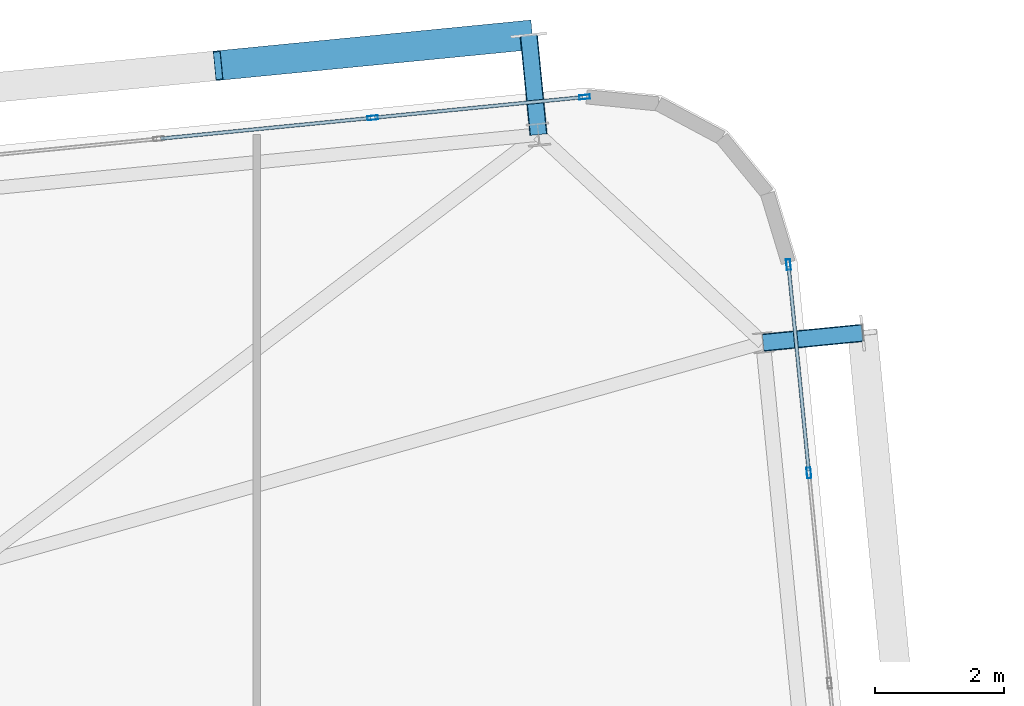
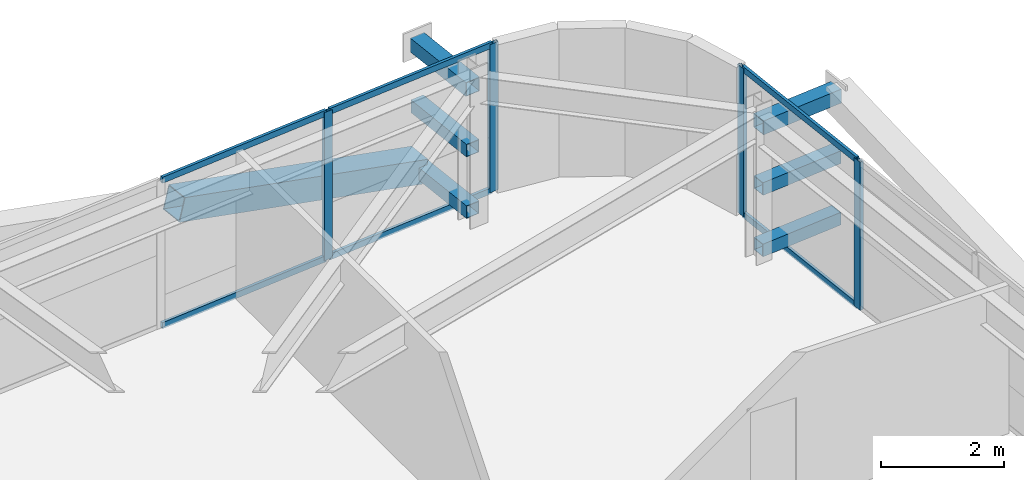
# One storey, part 35 of 54: 17 members, 2 elements without a shape of their own.
"""IFC4 building model written with IfcOpenShell, lengths in metres."""

import ifcopenshell
import ifcopenshell.guid

model = None  # the IFC model being written
_history = None  # IfcOwnerHistory: only IFC2X3 demands one
_inside = {}  # id of a spatial element -> (the spatial element, [elements in it])
_under = {}  # id of a project, library or spatial element -> (it, [spatial elements below it])
_declared = {}  # id of a project -> (the project, [libraries it declares])
_typed = {}  # id of a type object -> (the type object, [elements of that type])
_made_of = {}  # id of a material, layer set ... -> (it, [elements and type objects made of it])


def new_model(schema):
    """Start an empty IFC model of exactly this schema.

    Asked for "IFC4X3", IfcOpenShell would pick the latest addendum, in which some entities
    have other attributes; the version numbers below select the first issue.
    IFC2X3 requires an IfcOwnerHistory on every rooted entity: one is made here for all.
    """
    global model, _history
    if schema == "IFC4X3":
        model = ifcopenshell.file(schema_version=(4, 3, 0, 0))
    else:
        model = ifcopenshell.file(schema=schema)
    _inside.clear()
    _under.clear()
    _declared.clear()
    _typed.clear()
    _made_of.clear()
    _history = None
    if model.schema == "IFC2X3":
        org = make("IfcOrganization", Name="unknown")
        user = make(
            "IfcPersonAndOrganization",
            ThePerson=make("IfcPerson", FamilyName="unknown"),
            TheOrganization=org,
        )
        app = make(
            "IfcApplication",
            ApplicationDeveloper=org,
            Version="unknown",
            ApplicationFullName="unknown",
            ApplicationIdentifier="unknown",
        )
        _history = make(
            "IfcOwnerHistory",
            OwningUser=user,
            OwningApplication=app,
            ChangeAction="ADDED",
            CreationDate=0,
        )
    return model


def make(cls, **values):
    """One entity of the class cls with the attributes given. An attribute that is None is left unset."""
    return model.create_entity(
        cls, **{name: value for name, value in values.items() if value is not None}
    )


def rooted(cls, **values):
    """An entity with a GlobalId (a new one), such as an element, a storey or a relation."""
    return make(cls, GlobalId=ifcopenshell.guid.new(), OwnerHistory=_history, **values)


def si_unit(unit_type, name, prefix=None):
    """IfcSIUnit, for example si_unit("LENGTHUNIT", "METRE", prefix="MILLI")."""
    return make("IfcSIUnit", UnitType=unit_type, Prefix=prefix, Name=name)


def assignment(units):
    """IfcUnitAssignment: the units of a project."""
    return None if units is None else make("IfcUnitAssignment", Units=units)


def point(xyz):
    """IfcCartesianPoint."""
    return None if xyz is None else make("IfcCartesianPoint", Coordinates=xyz)


def direction(xyz):
    """IfcDirection."""
    return None if xyz is None else make("IfcDirection", DirectionRatios=xyz)


def frame(location, z_axis=None, x_axis=None):
    """IfcAxis2Placement3D, a coordinate frame: its origin and axes. An axis left out is left unset."""
    return make(
        "IfcAxis2Placement3D",
        Location=point(location),
        Axis=direction(z_axis),
        RefDirection=direction(x_axis),
    )


def frame_2d(location, x_axis=None):
    """IfcAxis2Placement2D, a coordinate frame in the plane: its origin and x axis."""
    return make(
        "IfcAxis2Placement2D", Location=point(location), RefDirection=direction(x_axis)
    )


def origin():
    """The frame at (0, 0, 0) with its axes left unset."""
    return frame((0.0, 0.0, 0.0))


def origin_2d():
    """The frame at (0, 0) in the plane with its x axis left unset."""
    return frame_2d((0.0, 0.0))


def place(relative_to, where):
    """IfcLocalPlacement: puts the frame where relative to a parent placement (None: the world)."""
    return make(
        "IfcLocalPlacement", PlacementRelTo=relative_to, RelativePlacement=where
    )


def context(
    kind, dimensions, precision=None, world=None, true_north=None, identifier=None
):
    """IfcGeometricRepresentationContext, for example the 3D "Model" context."""
    return make(
        "IfcGeometricRepresentationContext",
        ContextIdentifier=identifier,
        ContextType=kind,
        CoordinateSpaceDimension=dimensions,
        Precision=precision,
        WorldCoordinateSystem=world,
        TrueNorth=true_north,
    )


def subcontext(parent, identifier, kind, view, scale=None):
    """IfcGeometricRepresentationSubContext, for example "Body" below "Model"."""
    return make(
        "IfcGeometricRepresentationSubContext",
        ContextIdentifier=identifier,
        ContextType=kind,
        ParentContext=parent,
        TargetScale=scale,
        TargetView=view,
    )


def project(units=None, contexts=None):
    """IfcProject with its units and contexts."""
    return rooted(
        "IfcProject",
        Name="project",
        RepresentationContexts=contexts,
        UnitsInContext=assignment(units),
    )


def spatial(cls, under=None, at=None, **own):
    """A site, building, storey or space (cls), placed at a placement, below another one or the project."""
    s = rooted(cls, ObjectPlacement=at, **own)
    if under is not None:
        _under.setdefault(under.id(), (under, []))[1].append(s)
    return s


def profile(cls, at=None, kind="AREA", **sizes):
    """A parametric profile (cls). Its sizes go by their IFC names, for example OverallWidth=200.0."""
    return make(cls, ProfileType=kind, Position=at, **sizes)


def hollow_rectangle(**sizes):
    """IfcRectangleHollowProfileDef."""
    return profile("IfcRectangleHollowProfileDef", **sizes)


def extrude(swept, where, along, depth):
    """IfcExtrudedAreaSolid: the profile swept, set in the frame where, extruded along a direction by depth."""
    return make(
        "IfcExtrudedAreaSolid",
        SweptArea=swept,
        Position=where,
        ExtrudedDirection=direction(along),
        Depth=depth,
    )


def shape(context_of_items, identifier, shape_type, items):
    """IfcShapeRepresentation: the items that make up one representation, for example the "Body"."""
    return make(
        "IfcShapeRepresentation",
        ContextOfItems=context_of_items,
        RepresentationIdentifier=identifier,
        RepresentationType=shape_type,
        Items=items,
    )


def source(mapping_origin, context_of_items, identifier, shape_type, items):
    """IfcRepresentationMap: a shape defined once, which mapped items show again and again."""
    return make(
        "IfcRepresentationMap",
        MappingOrigin=mapping_origin,
        MappedRepresentation=shape(context_of_items, identifier, shape_type, items),
    )


def transform(
    local_origin,
    x_axis=None,
    y_axis=None,
    z_axis=None,
    scale=None,
    scale2=None,
    scale3=None,
    uniform=True,
):
    """IfcCartesianTransformationOperator3D, or its non-uniform kind. x_axis, y_axis, z_axis: its Axis1, 2, 3."""
    if uniform:
        return make(
            "IfcCartesianTransformationOperator3D",
            Axis1=direction(x_axis),
            Axis2=direction(y_axis),
            LocalOrigin=point(local_origin),
            Scale=scale,
            Axis3=direction(z_axis),
        )
    return make(
        "IfcCartesianTransformationOperator3DnonUniform",
        Axis1=direction(x_axis),
        Axis2=direction(y_axis),
        LocalOrigin=point(local_origin),
        Scale=scale,
        Axis3=direction(z_axis),
        Scale2=scale2,
        Scale3=scale3,
    )


def mapped(mapping_source, mapping_target):
    """IfcMappedItem: shows the shape of a source again, moved by a transform."""
    return make(
        "IfcMappedItem", MappingSource=mapping_source, MappingTarget=mapping_target
    )


def material(Name=None, Category=None):
    """IfcMaterial."""
    return make("IfcMaterial", Name=Name, Category=Category)


def layer(
    of_material, thickness, ventilated=None, Name=None, Category=None, Priority=None
):
    """IfcMaterialLayer: one layer of a wall or slab, of a material (None: an air gap)."""
    return make(
        "IfcMaterialLayer",
        Material=of_material,
        LayerThickness=thickness,
        IsVentilated=ventilated,
        Name=Name,
        Category=Category,
        Priority=Priority,
    )


def layer_set(layers, Name=None):
    """IfcMaterialLayerSet."""
    return make("IfcMaterialLayerSet", MaterialLayers=layers, LayerSetName=Name)


def material_profile(
    of_material, cross_section, Name=None, Category=None, Priority=None
):
    """IfcMaterialProfile: a cross section and its material."""
    return make(
        "IfcMaterialProfile",
        Name=Name,
        Material=of_material,
        Profile=cross_section,
        Priority=Priority,
        Category=Category,
    )


def profile_set(profiles, Name=None, composite=None):
    """IfcMaterialProfileSet."""
    return make(
        "IfcMaterialProfileSet",
        Name=Name,
        MaterialProfiles=profiles,
        CompositeProfile=composite,
    )


def made_of(thing, what):
    """Note that an element or type object is made of a material, layer set ...; save() writes the relation."""
    if what is not None:
        _made_of.setdefault(what.id(), (what, []))[1].append(thing)
    return thing


def type_object(cls, material=None, **own):
    """A type object (cls), such as IfcWallType, which elements share."""
    return made_of(rooted(cls, **own), material)


def element(
    cls,
    number,
    at=None,
    inside=None,
    cuts=None,
    type_object=None,
    material=None,
    context=None,
    identifier="Body",
    shape_type=None,
    held_by="IfcProductDefinitionShape",
    body=None,
    shapes=None,
    **own,
):
    """One element of the class cls, such as IfcWall. Its Tag is "e" and its number.

    at: its placement. inside: the storey or other place that contains it. cuts: it is an
    opening in that element (IfcRelVoidsElement). A single representation is given by context,
    identifier, shape_type and body (its items); several are given by shapes. held_by: the class
    of the entity that holds the representations. save() writes the other relations.
    """
    e = rooted(cls, Tag="e%d" % number, ObjectPlacement=at, **own)
    if body is not None:
        shapes = [shape(context, identifier, shape_type, body)]
    if shapes is not None:
        e.Representation = make(held_by, Representations=shapes)
    if inside is not None:
        _inside.setdefault(inside.id(), (inside, []))[1].append(e)
    if cuts is not None:
        rooted(
            "IfcRelVoidsElement", RelatingBuildingElement=cuts, RelatedOpeningElement=e
        )
    if type_object is not None:
        _typed.setdefault(type_object.id(), (type_object, []))[1].append(e)
    return made_of(e, material)


def aggregate(whole, parts):
    """IfcRelAggregates: a whole, such as a stair, and the parts it consists of."""
    return rooted("IfcRelAggregates", RelatingObject=whole, RelatedObjects=parts)


def save(model, path):
    """Write the relations noted so far, then the file.

    IfcRelAggregates (storeys below a building ...), IfcRelContainedInSpatialStructure (elements
    in a storey), IfcRelDefinesByType, IfcRelAssociatesMaterial and IfcRelDeclares: one each for
    every whole, place, type object, material and project.
    """
    for whole, parts in _under.values():
        aggregate(whole, parts)
    for where, things in _inside.values():
        rooted(
            "IfcRelContainedInSpatialStructure",
            RelatedElements=things,
            RelatingStructure=where,
        )
    for kind, things in _typed.values():
        rooted("IfcRelDefinesByType", RelatedObjects=things, RelatingType=kind)
    for what, things in _made_of.values():
        rooted("IfcRelAssociatesMaterial", RelatedObjects=things, RelatingMaterial=what)
    for by, libraries in _declared.values():
        rooted("IfcRelDeclares", RelatingContext=by, RelatedDefinitions=libraries)
    model.write(path)


model = new_model("IFC4")

# Units and contexts
model_context = context("Model", 3, precision=1e-05, world=origin(), true_north=direction((0.0, 1.0)))
body_context = subcontext(model_context, "Body", "Model", "MODEL_VIEW")
ifc_project = project(units=[si_unit("LENGTHUNIT", "METRE"), si_unit("AREAUNIT", "SQUARE_METRE"), si_unit("VOLUMEUNIT", "CUBIC_METRE"), si_unit("PLANEANGLEUNIT", "RADIAN"), si_unit("MASSUNIT", "GRAM", prefix="KILO")], contexts=[model_context])

# Site, building, storey
site_placement = place(None, origin())
site = spatial("IfcSite", under=ifc_project, at=site_placement, CompositionType="ELEMENT")
building_placement = place(site_placement, origin())
building = spatial("IfcBuilding", under=site, at=building_placement, Name="Taldren Reach Tower", CompositionType="ELEMENT")
storey_placement = place(building_placement, frame((0.0, 0.0, 102.89990234375)))
storey = spatial("IfcBuildingStorey", under=building, at=storey_placement, Name="L31", CompositionType="ELEMENT", Elevation=102.89990234375)

# Members
ifc_material_1 = material(Name="Steel Gr 450 (C450L0)", Category="steel")
ifc_material_profile_1 = material_profile(ifc_material_1, hollow_rectangle(XDim=0.27490234375, YDim=0.27490234375, WallThickness=0.00927734375, at=origin_2d()), Name="275x275x9.3SHS")
ifc_profile_set_1 = profile_set([ifc_material_profile_1], Name="Steel Gr 450 (C450L0)")
member_type_1 = type_object("IfcMemberType", Name="MB-TIE273", PredefinedType="STRUT", material=ifc_profile_set_1)
shared_shape_1 = source(origin(), body_context, "Body", "SweptSolid", [
    extrude(hollow_rectangle(XDim=0.27490234375, YDim=0.27490234375, WallThickness=0.00927734375, at=origin_2d()), origin(), (0.0, 0.0, 1.0), 1.5498046875),
])
for number, where, z_axis, x_axis, name in (
    (1, (59.765869140625, 38.679931640625, 2.650146484375), (-0.097663201064, 0.995219523099, 0.0), (-0.995219523099, -0.097663201064, 0.0), "Exoskeleton diaphragm tie strut B2-N6 L31"),
    (2, (63.247314453125, 35.454345703125, 2.650146484375), (0.995234821595, 0.097507178627, 0.0), (-0.097507178627, 0.995234821595, 0.0), "Exoskeleton diaphragm tie strut B2-E3 L31"),
):
    element("IfcMember", number, at=place(storey_placement, frame(where, z_axis=z_axis, x_axis=x_axis)), inside=storey, type_object=member_type_1, Name=name, PredefinedType="STRUT", context=body_context, shape_type="MappedRepresentation", body=[
        mapped(shared_shape_1, transform((0.0, 0.0, 0.0), scale=1.0)),
    ])
ifc_material_2 = material(Name="Steel Gr 350 (C350L0)", Category="steel")
ifc_material_profile_2 = material_profile(ifc_material_2, hollow_rectangle(XDim=0.25, YDim=0.25, WallThickness=0.010009765625, at=origin_2d()), Name="250x250x10.0SHS")
ifc_profile_set_2 = profile_set([ifc_material_profile_2], Name="Steel Gr 350 (C350L0)")
member_type_2 = type_object("IfcMemberType", Name="MB-POST250", PredefinedType="POST", material=ifc_profile_set_2)
shared_shape_2 = source(origin(), body_context, "Body", "SweptSolid", [
    extrude(hollow_rectangle(XDim=0.25, YDim=0.25, WallThickness=0.010009765625, at=origin_2d()), origin(), (0.0, 0.0, 1.0), 1.5498046875),
])
for number, where, z_axis, x_axis, name in (
    (3, (59.765869140625, 38.679931640625, 0.22021484375), (-0.097663201064, 0.995219523099, 0.0), (-0.995219523099, -0.097663201064, 0.0), "Exoskeleton base diaphragm tie strut B2-N6 L31"),
    (4, (63.247314453125, 35.454345703125, 0.22021484375), (0.995234821595, 0.097507178627, 0.0), (-0.097507178627, 0.995234821595, 0.0), "Exoskeleton base diaphragm tie strut B2-E3 L31"),
    (5, (59.765869140625, 38.679931640625, 1.43505859375), (-0.097663201064, 0.995219523099, 0.0), (-0.995219523099, -0.097663201064, 0.0), "Exoskeleton mid-tier diaphragm tie B2-N6 L31"),
    (6, (63.247314453125, 35.454345703125, 1.43505859375), (0.995234821595, 0.097507178627, 0.0), (-0.097507178627, 0.995234821595, 0.0), "Exoskeleton mid-tier diaphragm tie B2-E3 L31"),
):
    element("IfcMember", number, at=place(storey_placement, frame(where, z_axis=z_axis, x_axis=x_axis)), inside=storey, type_object=member_type_2, Name=name, PredefinedType="POST", context=body_context, shape_type="MappedRepresentation", body=[
        mapped(shared_shape_2, transform((0.0, 0.0, 0.0), scale=1.0)),
    ])
ifc_material_profile_3 = material_profile(ifc_material_1, hollow_rectangle(XDim=0.4599609375, YDim=0.4599609375, WallThickness=0.01611328125, at=origin_2d()), Name="460x460x16.0SHS")
ifc_profile_set_3 = profile_set([ifc_material_profile_3], Name="Steel Gr 450 (C450L0)")
member_type_3 = type_object("IfcMemberType", Name="MB-EXO457", PredefinedType="BRACE", material=ifc_profile_set_3)
shared_shape_3 = source(origin(), body_context, "Body", "SweptSolid", [
    extrude(hollow_rectangle(XDim=0.4599609375, YDim=0.4599609375, WallThickness=0.01611328125, at=origin_2d()), origin(), (0.0, 0.0, 1.0), 4.990234375),
])
member_1_placement = place(storey_placement, frame((59.614501953125, 40.222412109375, 0.22021484375), z_axis=(-0.965287024526, -0.094620633828, 0.24344998652), x_axis=(0.097555749586, -0.995230061706, 0.0)))
element("IfcMember", 7, at=member_1_placement, inside=storey, type_object=member_type_3, Name="Exoskeleton Diagrid Brace B2-N5 L31", PredefinedType="BRACE", context=body_context, shape_type="MappedRepresentation", body=[
    mapped(shared_shape_3, transform((0.0, 0.0, 0.0), scale=1.0)),
])

# Curtain wall, members
ifc_material_3 = material(Name="Aluminium and Low-E Glass Unitised System", Category="aluminium")
ifc_layer = layer(ifc_material_3, 0.159912109375)
ifc_layer_set = layer_set([ifc_layer], Name="Aluminium and Low-E Glass Unitised System")
curtain_wall_type = type_object("IfcCurtainWallType", Name="CW-SYS-3", PredefinedType="NOTDEFINED", material=ifc_layer_set)
curtain_wall_1_placement = place(storey_placement, origin())
curtain_wall_1 = element("IfcCurtainWall", 8, at=curtain_wall_1_placement, inside=storey, type_object=curtain_wall_type, Name="Unitised curtain wall CW-L31-N", PredefinedType="NOTDEFINED")
ifc_material_4 = material(Name="Anodised Aluminium 6063-T6", Category="aluminium")
ifc_material_profile_4 = material_profile(ifc_material_4, hollow_rectangle(XDim=0.06494140625, YDim=0.1650390625, WallThickness=0.00390625, at=origin_2d()), Name="ALU-165x65x4RHS")
ifc_profile_set_4 = profile_set([ifc_material_profile_4], Name="Anodised Aluminium 6063-T6")
member_type_4 = type_object("IfcMemberType", Name="CW-MUL-165", PredefinedType="MULLION", material=ifc_profile_set_4)
shared_shape_4 = source(origin(), body_context, "Body", "SweptSolid", [
    extrude(hollow_rectangle(XDim=0.06494140625, YDim=0.1650390625, WallThickness=0.00390625, at=origin_2d()), origin(), (0.0, 0.0, 1.0), 2.93017578125),
])
member_2_placement = place(storey_placement, frame((60.47998046875, 39.262451171875, 0.0), z_axis=(0.0, 0.0, 1.0), x_axis=(0.097582999046, -0.995227390247, 0.0)))
member_2 = element("IfcMember", 9, at=member_2_placement, type_object=member_type_4, Name="CW-3 mullion 1", PredefinedType="MULLION", context=body_context, shape_type="MappedRepresentation", body=[
    mapped(shared_shape_4, transform((0.0, 0.0, 0.0), scale=1.0)),
])
member_3_placement = place(storey_placement, frame((57.19482421875, 38.940185546875, 0.0), z_axis=(0.0, 0.0, 1.0), x_axis=(0.097582999046, -0.995227390247, 0.0)))
member_3 = element("IfcMember", 10, at=member_3_placement, type_object=member_type_4, Name="CW-3 mullion 2", PredefinedType="MULLION", context=body_context, shape_type="MappedRepresentation", body=[
    mapped(shared_shape_4, transform((0.0, 0.0, 0.0), scale=1.0)),
])

curtain_wall_2_placement = place(storey_placement, origin())
curtain_wall_2 = element("IfcCurtainWall", 11, at=curtain_wall_2_placement, inside=storey, type_object=curtain_wall_type, Name="Unitised curtain wall CW-L31-E", PredefinedType="NOTDEFINED")
member_4_placement = place(storey_placement, frame((63.95751953125, 33.43603515625, 0.0), z_axis=(0.0, 0.0, 1.0), x_axis=(-0.99522741555, -0.09758274098, 0.0)))
member_4 = element("IfcMember", 12, at=member_4_placement, type_object=member_type_4, Name="CW-3 mullion 9", PredefinedType="MULLION", context=body_context, shape_type="MappedRepresentation", body=[
    mapped(shared_shape_4, transform((0.0, 0.0, 0.0), scale=1.0)),
])
member_5_placement = place(storey_placement, frame((63.640869140625, 36.666015625, 0.0), z_axis=(0.0, 0.0, 1.0), x_axis=(-0.99522741555, -0.09758274098, 0.0)))
member_5 = element("IfcMember", 13, at=member_5_placement, type_object=member_type_4, Name="CW-3 mullion 10", PredefinedType="MULLION", context=body_context, shape_type="MappedRepresentation", body=[
    mapped(shared_shape_4, transform((0.0, 0.0, 0.0), scale=1.0)),
])

# Member
ifc_material_profile_5 = material_profile(ifc_material_4, hollow_rectangle(XDim=0.054931640625, YDim=0.1201171875, WallThickness=0.0029296875, at=origin_2d()), Name="ALU-120x55x3RHS")
ifc_profile_set_5 = profile_set([ifc_material_profile_5], Name="Anodised Aluminium 6063-T6")
member_type_5 = type_object("IfcMemberType", Name="CW-TRN-135", PredefinedType="USERDEFINED", material=ifc_profile_set_5)
shared_shape_5 = source(origin(), body_context, "Body", "SweptSolid", [
    extrude(hollow_rectangle(XDim=0.054931640625, YDim=0.1201171875, WallThickness=0.0029296875, at=origin_2d()), origin(), (0.0, 0.0, 1.0), 3.23583984375),
])
member_6_placement = place(storey_placement, frame((60.447509765625, 39.25927734375, 0.027587890625), z_axis=(-0.995222920971, -0.097628569459, 0.0), x_axis=(0.097628569459, -0.995222920971, 0.0)))
member_6 = element("IfcMember", 14, at=member_6_placement, type_object=member_type_5, Name="CW-3 transom 1.1", ObjectType="TRANSOM", PredefinedType="USERDEFINED", context=body_context, shape_type="MappedRepresentation", body=[
    mapped(shared_shape_5, transform((0.0, 0.0, 0.0), scale=1.0)),
])

member_7_placement = place(storey_placement, frame((60.447509765625, 39.25927734375, 2.902587890625), z_axis=(-0.995222920971, -0.097628569459, 0.0), x_axis=(0.097628569459, -0.995222920971, 0.0)))
member_7 = element("IfcMember", 15, at=member_7_placement, type_object=member_type_5, Name="CW-3 transom 1.2", ObjectType="TRANSOM", PredefinedType="USERDEFINED", context=body_context, shape_type="MappedRepresentation", body=[
    mapped(shared_shape_5, transform((0.0, 0.0, 0.0), scale=1.0)),
])

shared_shape_6 = source(origin(), body_context, "Body", "SweptSolid", [
    extrude(hollow_rectangle(XDim=0.054931640625, YDim=0.1201171875, WallThickness=0.0029296875, at=origin_2d()), origin(), (0.0, 0.0, 1.0), 3.2685546875),
])
member_8_placement = place(storey_placement, frame((57.16259765625, 38.93701171875, 0.027587890625), z_axis=(-0.99523051601, -0.097551114824, 0.0), x_axis=(0.097551114824, -0.99523051601, 0.0)))
member_8 = element("IfcMember", 16, at=member_8_placement, type_object=member_type_5, Name="CW-3 transom 2.1", ObjectType="TRANSOM", PredefinedType="USERDEFINED", context=body_context, shape_type="MappedRepresentation", body=[
    mapped(shared_shape_6, transform((0.0, 0.0, 0.0), scale=1.0)),
])

member_9_placement = place(storey_placement, frame((57.16259765625, 38.93701171875, 2.902587890625), z_axis=(-0.99523051601, -0.097551114824, 0.0), x_axis=(0.097551114824, -0.99523051601, 0.0)))
member_9 = element("IfcMember", 17, at=member_9_placement, type_object=member_type_5, Name="CW-3 transom 2.2", ObjectType="TRANSOM", PredefinedType="USERDEFINED", context=body_context, shape_type="MappedRepresentation", body=[
    mapped(shared_shape_6, transform((0.0, 0.0, 0.0), scale=1.0)),
])

aggregate(curtain_wall_1, [member_2, member_3, member_6, member_7, member_8, member_9])

shared_shape_7 = source(origin(), body_context, "Body", "SweptSolid", [
    extrude(hollow_rectangle(XDim=0.054931640625, YDim=0.1201171875, WallThickness=0.0029296875, at=origin_2d()), origin(), (0.0, 0.0, 1.0), 3.18017578125),
])
member_10_placement = place(storey_placement, frame((63.954345703125, 33.468505859375, 0.027587890625), z_axis=(-0.097572914968, 0.995228378949, 0.0), x_axis=(-0.995228378949, -0.097572914968, 0.0)))
member_10 = element("IfcMember", 18, at=member_10_placement, type_object=member_type_5, Name="CW-3 transom 9.1", ObjectType="TRANSOM", PredefinedType="USERDEFINED", context=body_context, shape_type="MappedRepresentation", body=[
    mapped(shared_shape_7, transform((0.0, 0.0, 0.0), scale=1.0)),
])

member_11_placement = place(storey_placement, frame((63.954345703125, 33.468505859375, 2.902587890625), z_axis=(-0.097572914968, 0.995228378949, 0.0), x_axis=(-0.995228378949, -0.097572914968, 0.0)))
member_11 = element("IfcMember", 19, at=member_11_placement, type_object=member_type_5, Name="CW-3 transom 9.2", ObjectType="TRANSOM", PredefinedType="USERDEFINED", context=body_context, shape_type="MappedRepresentation", body=[
    mapped(shared_shape_7, transform((0.0, 0.0, 0.0), scale=1.0)),
])

aggregate(curtain_wall_2, [member_4, member_5, member_10, member_11])

save(model, "model.ifc")
